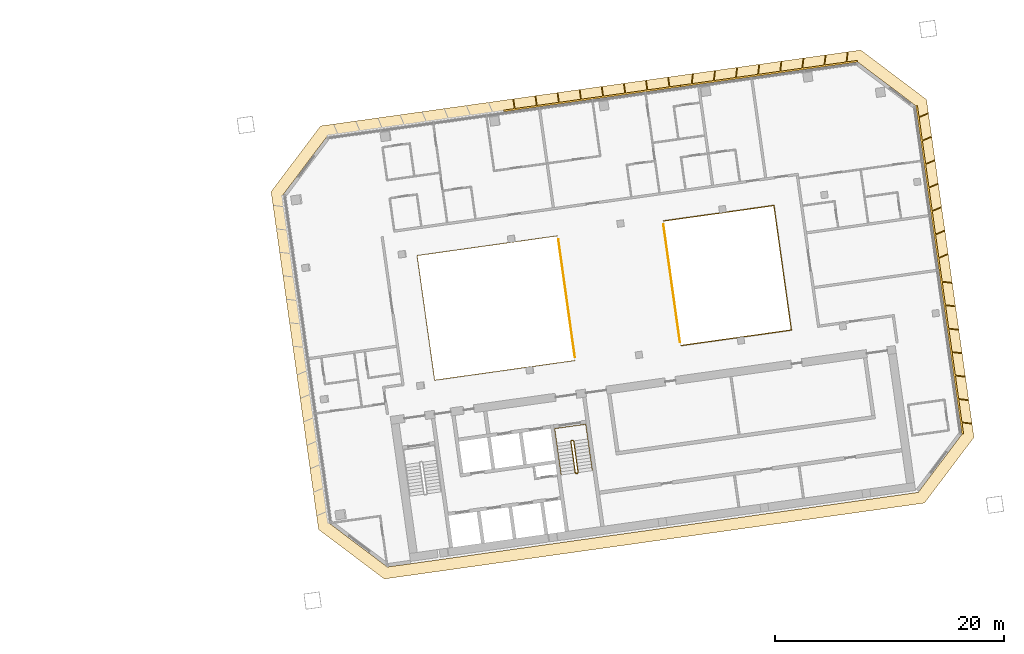
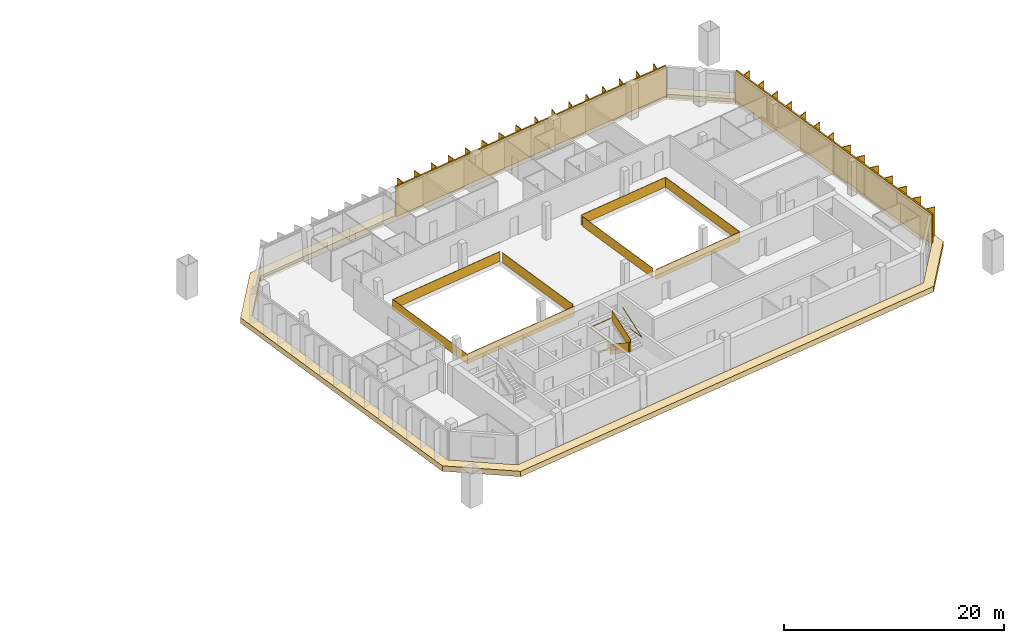
# One storey, part 22 of 22: 6 railings, 4 shading devices, 1 covering.
"""IFC4 building model written with IfcOpenShell, lengths in metres."""

from ifc_helpers import new_model, si_unit, direction, frame, origin, origin_2d, place, context, subcontext, project, spatial, polyline, rectangle, outline, extrude, material, layer, layer_set, type_object, element, save


model = new_model("IFC4")

# Units and contexts
model_context = context("Model", 3, precision=1e-05, world=origin(), true_north=direction((0.0, 1.0)))
body_context = subcontext(model_context, "Body", "Model", "MODEL_VIEW")
ifc_project = project(units=[si_unit("LENGTHUNIT", "METRE"), si_unit("AREAUNIT", "SQUARE_METRE"), si_unit("VOLUMEUNIT", "CUBIC_METRE"), si_unit("PLANEANGLEUNIT", "RADIAN"), si_unit("MASSUNIT", "GRAM", prefix="KILO")], contexts=[model_context])

# Site, building, storey
site_placement = place(None, origin())
site = spatial("IfcSite", under=ifc_project, at=site_placement, CompositionType="ELEMENT")
building_placement = place(site_placement, origin())
building = spatial("IfcBuilding", under=site, at=building_placement, Name="Mirante Cascada Hotel Towers", CompositionType="ELEMENT")
storey_placement = place(building_placement, frame((0.0, 0.0, 191.6)))
storey = spatial("IfcBuildingStorey", under=building, at=storey_placement, Name="L45", CompositionType="ELEMENT", Elevation=191.6)

# Railings
ifc_material_1 = material(Name="Toughened glass with stainless steel handrail", Category="steel")
railing_type_1 = type_object("IfcRailingType", Name="Atrium guard 1100 glass balustrade", PredefinedType="GUARDRAIL", material=ifc_material_1)
railing_1_placement = place(storey_placement, frame((50.1128, 8.5014, 0.0)))
element("IfcRailing", 1, at=railing_1_placement, inside=storey, type_object=railing_type_1, Name="GUARD 2-L45-1", PredefinedType="GUARDRAIL", context=body_context, shape_type="SweptSolid", body=[
    extrude(rectangle(XDim=0.048, YDim=0.048, at=origin_2d()), frame((0.0, 0.0, 1.076), z_axis=(-0.9902677, -0.139176, 0.0), x_axis=(0.139176, -0.9902677, 0.0)), (0.0, 0.0, 1.0), 12.3786),
    extrude(rectangle(XDim=0.02, YDim=1.052, at=origin_2d()), frame((0.0, 0.0, 0.526), z_axis=(-0.9902677, -0.139176, 0.0), x_axis=(0.139176, -0.9902677, 0.0)), (0.0, 0.0, 1.0), 12.3786),
    extrude(rectangle(XDim=0.048, YDim=0.048, at=origin_2d()), frame((-12.2581, -1.7228, 1.076), z_axis=(0.1391721, -0.9902682, 0.0), x_axis=(0.9902682, 0.1391721, 0.0)), (0.0, 0.0, 1.0), 11.0001),
    extrude(rectangle(XDim=0.02, YDim=1.052, at=origin_2d()), frame((-12.2581, -1.7228, 0.526), z_axis=(0.1391721, -0.9902682, 0.0), x_axis=(0.9902682, 0.1391721, 0.0)), (0.0, 0.0, 1.0), 11.0001),
    extrude(rectangle(XDim=0.048, YDim=0.048, at=origin_2d()), frame((-10.7272, -12.6158, 1.076), z_axis=(0.9902677, 0.139176, 0.0), x_axis=(-0.139176, 0.9902677, 0.0)), (0.0, 0.0, 1.0), 12.3786),
    extrude(rectangle(XDim=0.02, YDim=1.052, at=origin_2d()), frame((-10.7272, -12.6158, 0.526), z_axis=(0.9902677, 0.139176, 0.0), x_axis=(-0.139176, 0.9902677, 0.0)), (0.0, 0.0, 1.0), 12.3786),
])
railing_2_placement = place(storey_placement, frame((60.9263, -1.087, 0.0)))
element("IfcRailing", 2, at=railing_2_placement, inside=storey, type_object=railing_type_1, Name="GUARD 2-L45-2", PredefinedType="GUARDRAIL", context=body_context, shape_type="SweptSolid", body=[
    extrude(rectangle(XDim=0.048, YDim=0.048, at=origin_2d()), frame((0.0, 0.0, 1.076), z_axis=(0.990268, 0.1391733, 0.0), x_axis=(-0.1391733, 0.990268, 0.0)), (0.0, 0.0, 1.0), 9.7476),
    extrude(rectangle(XDim=0.02, YDim=1.052, at=origin_2d()), frame((0.0, 0.0, 0.526), z_axis=(0.990268, 0.1391733, 0.0), x_axis=(-0.1391733, 0.990268, 0.0)), (0.0, 0.0, 1.0), 9.7476),
    extrude(rectangle(XDim=0.048, YDim=0.048, at=origin_2d()), frame((9.6527, 1.3566, 1.076), z_axis=(-0.1391733, 0.990268, 0.0), x_axis=(-0.990268, -0.1391733, 0.0)), (0.0, 0.0, 1.0), 11.0),
    extrude(rectangle(XDim=0.02, YDim=1.052, at=origin_2d()), frame((9.6527, 1.3566, 0.526), z_axis=(-0.1391733, 0.990268, 0.0), x_axis=(-0.990268, -0.1391733, 0.0)), (0.0, 0.0, 1.0), 11.0),
    extrude(rectangle(XDim=0.048, YDim=0.048, at=origin_2d()), frame((8.1218, 12.2495, 1.076), z_axis=(-0.990268, -0.1391733, 0.0), x_axis=(0.1391733, -0.990268, 0.0)), (0.0, 0.0, 1.0), 9.7476),
    extrude(rectangle(XDim=0.02, YDim=1.052, at=origin_2d()), frame((8.1218, 12.2495, 0.526), z_axis=(-0.990268, -0.1391733, 0.0), x_axis=(0.1391733, -0.990268, 0.0)), (0.0, 0.0, 1.0), 9.7476),
])
railing_3_placement = place(storey_placement, frame((51.6511, -2.092, 0.0)))
element("IfcRailing", 3, at=railing_3_placement, inside=storey, type_object=railing_type_1, Name="GUARD 2-L45-3", PredefinedType="GUARDRAIL", context=body_context, shape_type="SweptSolid", body=[
    extrude(rectangle(XDim=0.048, YDim=0.048, at=origin_2d()), frame((0.0, 0.0, 1.076), z_axis=(-0.1391721, 0.9902682, 0.0), x_axis=(-0.9902682, -0.1391721, 0.0)), (0.0, 0.0, 1.0), 10.4087),
    extrude(rectangle(XDim=0.02, YDim=1.052, at=origin_2d()), frame((0.0, 0.0, 0.526), z_axis=(-0.1391721, 0.9902682, 0.0), x_axis=(-0.9902682, -0.1391721, 0.0)), (0.0, 0.0, 1.0), 10.4087),
])
railing_4_placement = place(storey_placement, frame((59.388, 9.5063, 0.0)))
element("IfcRailing", 4, at=railing_4_placement, inside=storey, type_object=railing_type_1, Name="GUARD 2-L45-4", PredefinedType="GUARDRAIL", context=body_context, shape_type="SweptSolid", body=[
    extrude(rectangle(XDim=0.048, YDim=0.048, at=origin_2d()), frame((0.0, 0.0, 1.076), z_axis=(0.1391734, -0.990268, 0.0), x_axis=(0.990268, 0.1391734, 0.0)), (0.0, 0.0, 1.0), 10.4086),
    extrude(rectangle(XDim=0.02, YDim=1.052, at=origin_2d()), frame((0.0, 0.0, 0.526), z_axis=(0.1391734, -0.990268, 0.0), x_axis=(0.990268, 0.1391734, 0.0)), (0.0, 0.0, 1.0), 10.4086),
])

# Covering
ifc_material_2 = material(Name="Precast concrete C40/50 white", Category="concrete")
ifc_layer = layer(ifc_material_2, 0.6)
ifc_layer_set = layer_set([ifc_layer], Name="Precast concrete SUNSHADE band 1000x600")
covering_type = type_object("IfcCoveringType", Name="Precast concrete SUNSHADE band 1000x600", PredefinedType="CLADDING", material=ifc_layer_set)
covering_placement = place(storey_placement, frame((0.0, 0.0, -0.45)))
element("IfcCovering", 5, at=covering_placement, inside=storey, type_object=covering_type, Name="Precast concrete SUNSHADE band T2 L45", PredefinedType="CLADDING", context=body_context, shape_type="SweptSolid", body=[
    extrude(outline(polyline([(25.0832, 12.3698), (29.4117, 18.1139), (76.645, 24.7521), (82.3891, 20.4236), (86.5404, -9.1145), (82.2119, -14.8586), (34.9786, -21.4969), (29.2345, -17.1684), (25.0832, 12.3698)]), holes=[polyline([(85.4925, -8.8435), (81.4565, 19.8742), (76.374, 23.7042), (29.961, 17.1812), (26.1311, 12.0988), (30.1671, -16.619), (35.2496, -20.4489), (81.6626, -13.926), (85.4925, -8.8435)])]), origin(), (0.0, 0.0, 1.0), 0.6),
])

# Railings
ifc_material_3 = material(Name="Painted steel", Category="steel")
railing_type_2 = type_object("IfcRailingType", Name="Stair guard 1100 steel balustrade", PredefinedType="GUARDRAIL", material=ifc_material_3)
railing_5_placement = place(storey_placement, frame((51.4864, -9.3815, 0.0)))
element("IfcRailing", 6, at=railing_5_placement, inside=storey, type_object=railing_type_2, Name="L45 ST2-B stair guard 1", PredefinedType="GUARDRAIL", context=body_context, shape_type="SweptSolid", body=[
    extrude(rectangle(XDim=0.048, YDim=0.048, at=origin_2d()), frame((0.0, 0.0, 1.076), z_axis=(-0.9902408, -0.1393672, 0.0), x_axis=(0.1393672, -0.9902408, 0.0)), (0.0, 0.0, 1.0), 0.15),
    extrude(rectangle(XDim=0.02, YDim=1.052, at=origin_2d()), frame((0.0, 0.0, 0.526), z_axis=(-0.9902408, -0.1393672, 0.0), x_axis=(0.1393672, -0.9902408, 0.0)), (0.0, 0.0, 1.0), 0.15),
    extrude(rectangle(XDim=0.048, YDim=0.048, at=origin_2d()), frame((-0.1485, -0.0209, 1.076), z_axis=(-0.6020331, -0.7984711, 0.0), x_axis=(0.7984711, -0.6020331, 0.0)), (0.0, 0.9253398, 0.3791387), 0.1866),
    extrude(rectangle(XDim=0.02, YDim=1.052, at=origin_2d()), frame((-0.1485, -0.0209, 0.526), z_axis=(-0.6020331, -0.7984711, 0.0), x_axis=(0.7984711, -0.6020331, 0.0)), (0.0, 0.9253398, 0.3791387), 0.1866),
    extrude(rectangle(XDim=0.048, YDim=0.048, at=origin_2d()), frame((-0.1911, -0.0774, 1.2487), z_axis=(0.139181, -0.990267, 0.0), x_axis=(0.990267, 0.139181, 0.0)), (0.0, 0.5250347, 0.8510808), 3.2899),
    extrude(rectangle(XDim=0.02, YDim=1.052, at=origin_2d()), frame((-0.1911, -0.0774, 0.6987), z_axis=(0.139181, -0.990267, 0.0), x_axis=(0.990267, 0.139181, 0.0)), (0.0, 0.5250347, 0.8510808), 3.2899),
    extrude(rectangle(XDim=0.048, YDim=0.048, at=origin_2d()), frame((0.1986, -2.8501, 2.976), z_axis=(0.9944441, -0.1052656, 0.0), x_axis=(0.1052656, 0.9944441, 0.0)), (0.0, 0.0, 1.0), 0.2061),
    extrude(rectangle(XDim=0.02, YDim=1.052, at=origin_2d()), frame((0.1986, -2.8501, 2.426), z_axis=(0.9944441, -0.1052656, 0.0), x_axis=(0.1052656, 0.9944441, 0.0)), (0.0, 0.0, 1.0), 0.2061),
    extrude(rectangle(XDim=0.048, YDim=0.048, at=origin_2d()), frame((0.4036, -2.8718, 2.976), z_axis=(-0.9902408, -0.1393672, 0.0), x_axis=(0.1393672, -0.9902408, 0.0)), (0.0, 0.0, 1.0), 0.15),
    extrude(rectangle(XDim=0.02, YDim=1.052, at=origin_2d()), frame((0.4036, -2.8718, 2.426), z_axis=(-0.9902408, -0.1393672, 0.0), x_axis=(0.1393672, -0.9902408, 0.0)), (0.0, 0.0, 1.0), 0.15),
    extrude(rectangle(XDim=0.048, YDim=0.048, at=origin_2d()), frame((0.2551, -2.8927, 2.976), z_axis=(0.9268624, 0.3754011, 0.0), x_axis=(-0.3754011, 0.9268624, 0.0)), (0.0, 0.6421217, 0.7666028), 0.269),
    extrude(rectangle(XDim=0.02, YDim=1.052, at=origin_2d()), frame((0.2551, -2.8927, 2.426), z_axis=(0.9268624, 0.3754011, 0.0), x_axis=(-0.3754011, 0.9268624, 0.0)), (0.0, 0.6421217, 0.7666028), 0.269),
    extrude(rectangle(XDim=0.048, YDim=0.048, at=origin_2d()), frame((0.4462, -2.8153, 3.1487), z_axis=(-0.139181, 0.990267, 0.0), x_axis=(-0.990267, -0.139181, 0.0)), (0.0, 0.5250347, 0.8510808), 3.2899),
    extrude(rectangle(XDim=0.02, YDim=1.052, at=origin_2d()), frame((0.4462, -2.8153, 2.5987), z_axis=(-0.139181, 0.990267, 0.0), x_axis=(-0.990267, -0.139181, 0.0)), (0.0, 0.5250347, 0.8510808), 3.2899),
])
ifc_material_4 = material(Name="Painted steel", Category="steel")
railing_type_3 = type_object("IfcRailingType", Name="Stair handrail 900 steel tube", PredefinedType="HANDRAIL", material=ifc_material_4)
railing_6_placement = place(storey_placement, frame((50.0575, -9.6328, 0.1727)))
element("IfcRailing", 7, at=railing_6_placement, inside=storey, type_object=railing_type_3, Name="L45 ST2-B stair handrail 1", PredefinedType="HANDRAIL", context=body_context, shape_type="SweptSolid", body=[
    extrude(rectangle(XDim=0.048, YDim=0.048, at=origin_2d()), frame((0.0, 0.0, 0.876), z_axis=(0.139176, -0.9902677, 0.0), x_axis=(0.9902677, 0.139176, 0.0)), (0.0, 0.5250212, 0.8510891), 3.29),
    extrude(rectangle(XDim=0.048, YDim=0.048, at=origin_2d()), frame((0.3897, -2.7728, 2.6033), z_axis=(-0.1391707, 0.9902684, 0.0), x_axis=(-0.9902684, -0.1391707, 0.0)), (0.0, 0.0420846, 0.999114), 4.1036),
    extrude(rectangle(XDim=0.048, YDim=0.048, at=origin_2d()), frame((-0.1809, 1.2873, 2.776), z_axis=(0.9902641, 0.1392013, 0.0), x_axis=(-0.1392013, 0.9902641, 0.0)), (0.0, 0.0, 1.0), 2.75),
    extrude(rectangle(XDim=0.048, YDim=0.048, at=origin_2d()), frame((2.5423, 1.6701, 2.776), z_axis=(0.1391707, -0.9902684, 0.0), x_axis=(0.9902684, 0.1391707, 0.0)), (0.0, 0.0, 1.0), 4.1),
    extrude(rectangle(XDim=0.048, YDim=0.048, at=origin_2d()), frame((3.1129, -2.39, 2.776), z_axis=(-0.139181, 0.990267, 0.0), x_axis=(-0.990267, -0.139181, 0.0)), (0.0, 0.5250347, 0.8510808), 3.2899),
])

# Shading devices
ifc_material_5 = material(Name="White precast concrete C50/60 fin", Category="concrete")
shading_device_type = type_object("IfcShadingDeviceType", Name="Vertical fin set 4500x900", PredefinedType="USERDEFINED", material=ifc_material_5)
shading_device_1_placement = place(storey_placement, origin())
element("IfcShadingDevice", 8, at=shading_device_1_placement, inside=storey, type_object=shading_device_type, Name="FIN T2 L45 front 1", ObjectType="FIN", PredefinedType="USERDEFINED", context=body_context, shape_type="SweptSolid", body=[
    extrude(outline(polyline([(62.0054, 22.6532), (61.9033, 21.8219), (63.7552, 22.0822), (63.8599, 22.9347), (63.9393, 22.925), (63.8372, 22.0937), (65.6891, 22.354), (65.7937, 23.2065), (65.8731, 23.1968), (65.7711, 22.3655), (67.6229, 22.6258), (67.7276, 23.4783), (67.807, 23.4686), (67.705, 22.6373), (69.5568, 22.8975), (69.6615, 23.7501), (69.7409, 23.7403), (69.6388, 22.9091), (71.4907, 23.1693), (71.5954, 24.0219), (71.6748, 24.0121), (71.5727, 23.1809), (73.4246, 23.4411), (73.5292, 24.2937), (73.6086, 24.2839), (73.5066, 23.4526), (75.3584, 23.7129), (75.4631, 24.5655), (75.5425, 24.5557), (75.4404, 23.7244), (76.3531, 23.8527), (76.374, 23.7042), (60.903, 21.5299), (60.8821, 21.6784), (61.8213, 21.8104), (61.926, 22.6629), (62.0054, 22.6532)])), origin(), (0.0, 0.0, 1.0), 3.35),
])
shading_device_2_placement = place(storey_placement, origin())
element("IfcShadingDevice", 9, at=shading_device_2_placement, inside=storey, type_object=shading_device_type, Name="FIN T2 L45 front 2", ObjectType="FIN", PredefinedType="USERDEFINED", context=body_context, shape_type="SweptSolid", body=[
    extrude(outline(polyline([(46.2994, 20.4873), (46.4177, 19.6456), (48.2723, 19.9062), (48.154, 20.7479), (48.2333, 20.7591), (48.3516, 19.9173), (50.2062, 20.178), (50.0879, 21.0197), (50.1671, 21.0309), (50.2854, 20.1891), (52.1401, 20.4498), (52.0218, 21.2915), (52.101, 21.3026), (52.2193, 20.4609), (54.074, 20.7216), (53.9557, 21.5633), (54.0349, 21.5744), (54.1532, 20.7327), (56.0078, 20.9934), (55.8895, 21.8351), (55.9687, 21.8462), (56.087, 21.0045), (57.9417, 21.2651), (57.8234, 22.1069), (57.9026, 22.118), (58.0209, 21.2763), (59.8756, 21.5369), (59.7573, 22.3787), (59.8365, 22.3898), (59.9548, 21.5481), (60.8821, 21.6784), (60.903, 21.5299), (45.432, 19.3556), (45.4111, 19.5041), (46.3385, 19.6344), (46.2202, 20.4761), (46.2994, 20.4873)])), origin(), (0.0, 0.0, 1.0), 3.35),
])
shading_device_3_placement = place(storey_placement, origin())
element("IfcShadingDevice", 10, at=shading_device_3_placement, inside=storey, type_object=shading_device_type, Name="FIN T2 L45 outer 1", ObjectType="FIN", PredefinedType="USERDEFINED", context=body_context, shape_type="SweptSolid", body=[
    extrude(outline(polyline([(86.3358, -7.9534), (85.5045, -7.8513), (85.641, -8.8227), (85.4925, -8.8435), (83.4745, 5.5153), (83.623, 5.5362), (83.7633, 4.5383), (84.6158, 4.4336), (84.6061, 4.3542), (83.7748, 4.4563), (84.0515, 2.4871), (84.9041, 2.3824), (84.8943, 2.303), (84.0631, 2.405), (84.3398, 0.4358), (85.1924, 0.3311), (85.1826, 0.2517), (84.3514, 0.3538), (84.6281, -1.6155), (85.4807, -1.7202), (85.4709, -1.7996), (84.6396, -1.6975), (84.9164, -3.6667), (85.769, -3.7714), (85.7592, -3.8508), (84.9279, -3.7488), (85.2047, -5.718), (86.0572, -5.8227), (86.0475, -5.9021), (85.2162, -5.8), (85.493, -7.7693), (86.3455, -7.874), (86.3358, -7.9534)])), origin(), (0.0, 0.0, 1.0), 3.35),
])
shading_device_4_placement = place(storey_placement, origin())
element("IfcShadingDevice", 11, at=shading_device_4_placement, inside=storey, type_object=shading_device_type, Name="FIN T2 L45 outer 2", ObjectType="FIN", PredefinedType="USERDEFINED", context=body_context, shape_type="SweptSolid", body=[
    extrude(outline(polyline([(84.2734, 6.8697), (83.4828, 6.5341), (83.623, 5.5362), (83.4745, 5.5153), (81.4565, 19.8742), (81.605, 19.8951), (81.7415, 18.9238), (82.5125, 19.251), (82.5437, 19.1774), (81.753, 18.8417), (82.0298, 16.8725), (82.8007, 17.1997), (82.832, 17.1261), (82.0413, 16.7905), (82.3181, 14.8212), (83.089, 15.1485), (83.1203, 15.0748), (82.3296, 14.7392), (82.6064, 12.7699), (83.3773, 13.0972), (83.4086, 13.0235), (82.6179, 12.6879), (82.8947, 10.7187), (83.6656, 11.0459), (83.6969, 10.9723), (82.9062, 10.6367), (83.183, 8.6674), (83.9539, 8.9946), (83.9852, 8.921), (83.1945, 8.5854), (83.4712, 6.6161), (84.2422, 6.9434), (84.2734, 6.8697)])), origin(), (0.0, 0.0, 1.0), 3.35),
])

save(model, "model.ifc")
